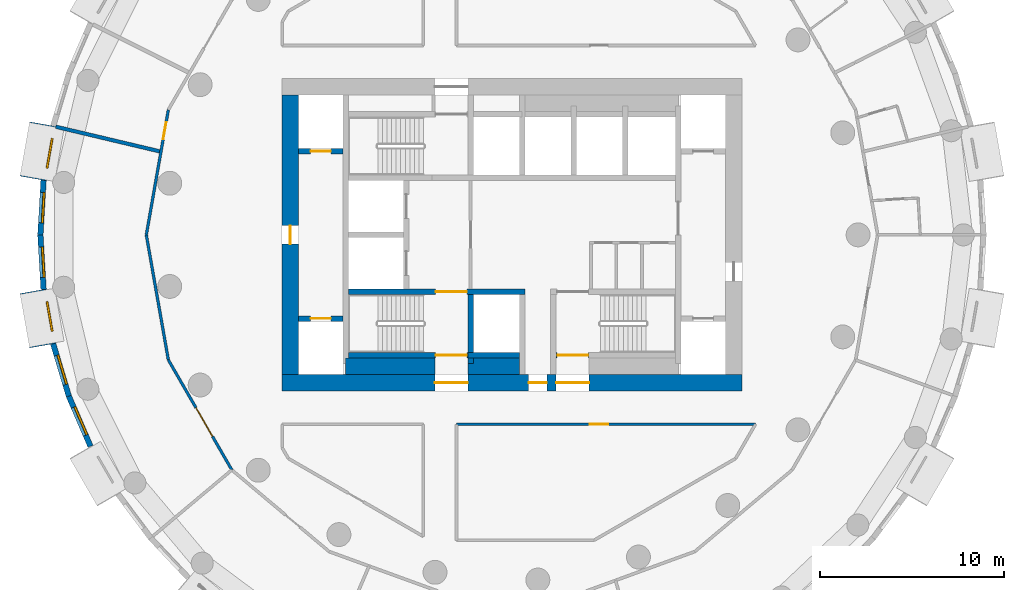
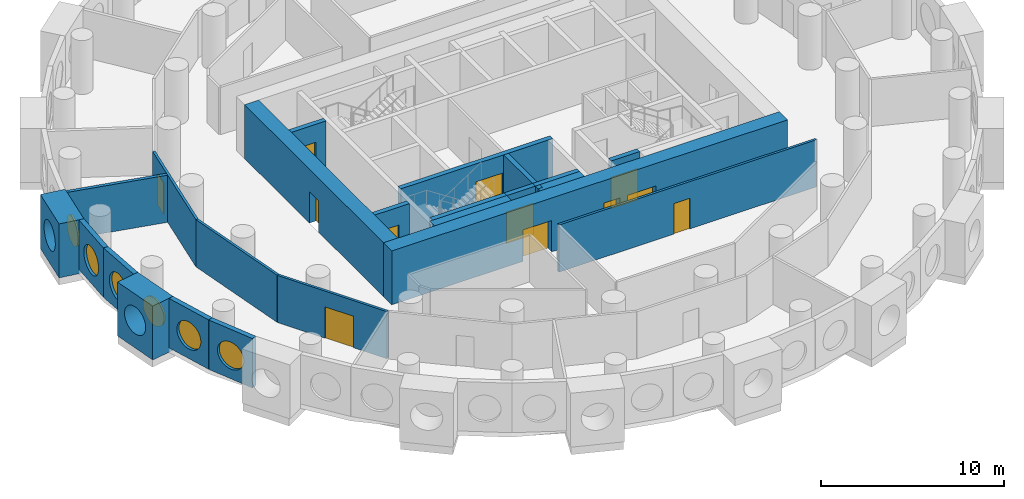
# One storey, part 3 of 10: 23 walls, 12 doors, 6 windows, 18 openings.
"""IFC4 building model written with IfcOpenShell, lengths in metres."""

import ifcopenshell
import ifcopenshell.guid

model = None  # the IFC model being written
_history = None  # IfcOwnerHistory: only IFC2X3 demands one
_inside = {}  # id of a spatial element -> (the spatial element, [elements in it])
_under = {}  # id of a project, library or spatial element -> (it, [spatial elements below it])
_declared = {}  # id of a project -> (the project, [libraries it declares])
_typed = {}  # id of a type object -> (the type object, [elements of that type])
_made_of = {}  # id of a material, layer set ... -> (it, [elements and type objects made of it])


def new_model(schema):
    """Start an empty IFC model of exactly this schema.

    Asked for "IFC4X3", IfcOpenShell would pick the latest addendum, in which some entities
    have other attributes; the version numbers below select the first issue.
    IFC2X3 requires an IfcOwnerHistory on every rooted entity: one is made here for all.
    """
    global model, _history
    if schema == "IFC4X3":
        model = ifcopenshell.file(schema_version=(4, 3, 0, 0))
    else:
        model = ifcopenshell.file(schema=schema)
    _inside.clear()
    _under.clear()
    _declared.clear()
    _typed.clear()
    _made_of.clear()
    _history = None
    if model.schema == "IFC2X3":
        org = make("IfcOrganization", Name="unknown")
        user = make(
            "IfcPersonAndOrganization",
            ThePerson=make("IfcPerson", FamilyName="unknown"),
            TheOrganization=org,
        )
        app = make(
            "IfcApplication",
            ApplicationDeveloper=org,
            Version="unknown",
            ApplicationFullName="unknown",
            ApplicationIdentifier="unknown",
        )
        _history = make(
            "IfcOwnerHistory",
            OwningUser=user,
            OwningApplication=app,
            ChangeAction="ADDED",
            CreationDate=0,
        )
    return model


def make(cls, **values):
    """One entity of the class cls with the attributes given. An attribute that is None is left unset."""
    return model.create_entity(
        cls, **{name: value for name, value in values.items() if value is not None}
    )


def rooted(cls, **values):
    """An entity with a GlobalId (a new one), such as an element, a storey or a relation."""
    return make(cls, GlobalId=ifcopenshell.guid.new(), OwnerHistory=_history, **values)


def si_unit(unit_type, name, prefix=None):
    """IfcSIUnit, for example si_unit("LENGTHUNIT", "METRE", prefix="MILLI")."""
    return make("IfcSIUnit", UnitType=unit_type, Prefix=prefix, Name=name)


def assignment(units):
    """IfcUnitAssignment: the units of a project."""
    return None if units is None else make("IfcUnitAssignment", Units=units)


def point(xyz):
    """IfcCartesianPoint."""
    return None if xyz is None else make("IfcCartesianPoint", Coordinates=xyz)


def direction(xyz):
    """IfcDirection."""
    return None if xyz is None else make("IfcDirection", DirectionRatios=xyz)


def frame(location, z_axis=None, x_axis=None):
    """IfcAxis2Placement3D, a coordinate frame: its origin and axes. An axis left out is left unset."""
    return make(
        "IfcAxis2Placement3D",
        Location=point(location),
        Axis=direction(z_axis),
        RefDirection=direction(x_axis),
    )


def frame_2d(location, x_axis=None):
    """IfcAxis2Placement2D, a coordinate frame in the plane: its origin and x axis."""
    return make(
        "IfcAxis2Placement2D", Location=point(location), RefDirection=direction(x_axis)
    )


def origin():
    """The frame at (0, 0, 0) with its axes left unset."""
    return frame((0.0, 0.0, 0.0))


def origin_2d():
    """The frame at (0, 0) in the plane with its x axis left unset."""
    return frame_2d((0.0, 0.0))


def place(relative_to, where):
    """IfcLocalPlacement: puts the frame where relative to a parent placement (None: the world)."""
    return make(
        "IfcLocalPlacement", PlacementRelTo=relative_to, RelativePlacement=where
    )


def context(
    kind, dimensions, precision=None, world=None, true_north=None, identifier=None
):
    """IfcGeometricRepresentationContext, for example the 3D "Model" context."""
    return make(
        "IfcGeometricRepresentationContext",
        ContextIdentifier=identifier,
        ContextType=kind,
        CoordinateSpaceDimension=dimensions,
        Precision=precision,
        WorldCoordinateSystem=world,
        TrueNorth=true_north,
    )


def subcontext(parent, identifier, kind, view, scale=None):
    """IfcGeometricRepresentationSubContext, for example "Body" below "Model"."""
    return make(
        "IfcGeometricRepresentationSubContext",
        ContextIdentifier=identifier,
        ContextType=kind,
        ParentContext=parent,
        TargetScale=scale,
        TargetView=view,
    )


def project(units=None, contexts=None):
    """IfcProject with its units and contexts."""
    return rooted(
        "IfcProject",
        Name="project",
        RepresentationContexts=contexts,
        UnitsInContext=assignment(units),
    )


def spatial(cls, under=None, at=None, **own):
    """A site, building, storey or space (cls), placed at a placement, below another one or the project."""
    s = rooted(cls, ObjectPlacement=at, **own)
    if under is not None:
        _under.setdefault(under.id(), (under, []))[1].append(s)
    return s


def profile(cls, at=None, kind="AREA", **sizes):
    """A parametric profile (cls). Its sizes go by their IFC names, for example OverallWidth=200.0."""
    return make(cls, ProfileType=kind, Position=at, **sizes)


def rectangle(**sizes):
    """IfcRectangleProfileDef."""
    return profile("IfcRectangleProfileDef", **sizes)


def circle(**sizes):
    """IfcCircleProfileDef."""
    return profile("IfcCircleProfileDef", **sizes)


def extrude(swept, where, along, depth):
    """IfcExtrudedAreaSolid: the profile swept, set in the frame where, extruded along a direction by depth."""
    return make(
        "IfcExtrudedAreaSolid",
        SweptArea=swept,
        Position=where,
        ExtrudedDirection=direction(along),
        Depth=depth,
    )


def shape(context_of_items, identifier, shape_type, items):
    """IfcShapeRepresentation: the items that make up one representation, for example the "Body"."""
    return make(
        "IfcShapeRepresentation",
        ContextOfItems=context_of_items,
        RepresentationIdentifier=identifier,
        RepresentationType=shape_type,
        Items=items,
    )


def material(Name=None, Category=None):
    """IfcMaterial."""
    return make("IfcMaterial", Name=Name, Category=Category)


def layer(
    of_material, thickness, ventilated=None, Name=None, Category=None, Priority=None
):
    """IfcMaterialLayer: one layer of a wall or slab, of a material (None: an air gap)."""
    return make(
        "IfcMaterialLayer",
        Material=of_material,
        LayerThickness=thickness,
        IsVentilated=ventilated,
        Name=Name,
        Category=Category,
        Priority=Priority,
    )


def layer_set(layers, Name=None):
    """IfcMaterialLayerSet."""
    return make("IfcMaterialLayerSet", MaterialLayers=layers, LayerSetName=Name)


def made_of(thing, what):
    """Note that an element or type object is made of a material, layer set ...; save() writes the relation."""
    if what is not None:
        _made_of.setdefault(what.id(), (what, []))[1].append(thing)
    return thing


def type_object(cls, material=None, **own):
    """A type object (cls), such as IfcWallType, which elements share."""
    return made_of(rooted(cls, **own), material)


def element(
    cls,
    number,
    at=None,
    inside=None,
    cuts=None,
    type_object=None,
    material=None,
    context=None,
    identifier="Body",
    shape_type=None,
    held_by="IfcProductDefinitionShape",
    body=None,
    shapes=None,
    **own,
):
    """One element of the class cls, such as IfcWall. Its Tag is "e" and its number.

    at: its placement. inside: the storey or other place that contains it. cuts: it is an
    opening in that element (IfcRelVoidsElement). A single representation is given by context,
    identifier, shape_type and body (its items); several are given by shapes. held_by: the class
    of the entity that holds the representations. save() writes the other relations.
    """
    e = rooted(cls, Tag="e%d" % number, ObjectPlacement=at, **own)
    if body is not None:
        shapes = [shape(context, identifier, shape_type, body)]
    if shapes is not None:
        e.Representation = make(held_by, Representations=shapes)
    if inside is not None:
        _inside.setdefault(inside.id(), (inside, []))[1].append(e)
    if cuts is not None:
        rooted(
            "IfcRelVoidsElement", RelatingBuildingElement=cuts, RelatedOpeningElement=e
        )
    if type_object is not None:
        _typed.setdefault(type_object.id(), (type_object, []))[1].append(e)
    return made_of(e, material)


def fill(opening, filler):
    """IfcRelFillsElement: the door or window that sits in an opening."""
    return rooted(
        "IfcRelFillsElement",
        RelatingOpeningElement=opening,
        RelatedBuildingElement=filler,
    )


def aggregate(whole, parts):
    """IfcRelAggregates: a whole, such as a stair, and the parts it consists of."""
    return rooted("IfcRelAggregates", RelatingObject=whole, RelatedObjects=parts)


def save(model, path):
    """Write the relations noted so far, then the file.

    IfcRelAggregates (storeys below a building ...), IfcRelContainedInSpatialStructure (elements
    in a storey), IfcRelDefinesByType, IfcRelAssociatesMaterial and IfcRelDeclares: one each for
    every whole, place, type object, material and project.
    """
    for whole, parts in _under.values():
        aggregate(whole, parts)
    for where, things in _inside.values():
        rooted(
            "IfcRelContainedInSpatialStructure",
            RelatedElements=things,
            RelatingStructure=where,
        )
    for kind, things in _typed.values():
        rooted("IfcRelDefinesByType", RelatedObjects=things, RelatingType=kind)
    for what, things in _made_of.values():
        rooted("IfcRelAssociatesMaterial", RelatedObjects=things, RelatingMaterial=what)
    for by, libraries in _declared.values():
        rooted("IfcRelDeclares", RelatingContext=by, RelatedDefinitions=libraries)
    model.write(path)


model = new_model("IFC4")

# Units and contexts
model_context = context("Model", 3, precision=1e-05, world=origin(), true_north=direction((0.0, 1.0)))
body_context = subcontext(model_context, "Body", "Model", "MODEL_VIEW")
ifc_project = project(units=[si_unit("LENGTHUNIT", "METRE"), si_unit("AREAUNIT", "SQUARE_METRE"), si_unit("VOLUMEUNIT", "CUBIC_METRE"), si_unit("PLANEANGLEUNIT", "RADIAN"), si_unit("MASSUNIT", "GRAM", prefix="KILO")], contexts=[model_context])

# Site, building, storey
site_placement = place(None, origin())
site = spatial("IfcSite", under=ifc_project, at=site_placement, CompositionType="ELEMENT")
building_placement = place(site_placement, origin())
building = spatial("IfcBuilding", under=site, at=building_placement, Name="Tracery Tower", CompositionType="ELEMENT")
storey_placement = place(building_placement, frame((0.0, 0.0, 212.39990234375)))
storey = spatial("IfcBuildingStorey", under=building, at=storey_placement, Name="L55", CompositionType="ELEMENT", Elevation=212.39990234375)

# Walls
ifc_material_1 = material(Name="Concrete C50/60", Category="concrete")
ifc_layer_1 = layer(ifc_material_1, 0.89990234375)
ifc_layer_set_1 = layer_set([ifc_layer_1], Name="Core strip wall 900 C50")
wall_type_1 = type_object("IfcWallType", Name="Core strip wall 900 C50", PredefinedType="SOLIDWALL", material=ifc_layer_set_1)
wall_1_placement = place(storey_placement, frame((-9.050048828125, -7.14990234375, 0.0), z_axis=(0.0, 0.0, 1.0), x_axis=(1.0, 0.0, 0.0)))
element("IfcWall", 1, at=wall_1_placement, inside=storey, type_object=wall_type_1, Name="L55 F thick S W", PredefinedType="SOLIDWALL", context=body_context, shape_type="SweptSolid", body=[
    extrude(rectangle(XDim=4.85009765625, YDim=0.89990234375, at=frame_2d((2.425048828125, 0.0))), origin(), (0.0, 0.0, 1.0), 3.300048828125),
])
wall_2_placement = place(storey_placement, frame((-2.39990234375, -7.14990234375, 0.0), z_axis=(0.0, 0.0, 1.0), x_axis=(1.0, 0.0, 0.0)))
element("IfcWall", 2, at=wall_2_placement, inside=storey, type_object=wall_type_1, Name="L55 F thick S mid", PredefinedType="SOLIDWALL", context=body_context, shape_type="SweptSolid", body=[
    extrude(rectangle(XDim=2.7998046875, YDim=0.89990234375, at=frame_2d((1.39990234375, 0.0))), origin(), (0.0, 0.0, 1.0), 3.300048828125),
])

# Wall, openings, doors
ifc_material_2 = material(Name="Concrete C50/60", Category="concrete")
ifc_layer_2 = layer(ifc_material_2, 0.89990234375)
ifc_layer_set_2 = layer_set([ifc_layer_2], Name="Core wall 900 C50")
wall_type_2 = type_object("IfcWallType", Name="Core wall 900 C50", PredefinedType="SOLIDWALL", material=ifc_layer_set_2)
wall_3_placement = place(storey_placement, frame((-12.5, -8.050048828125, 0.0), z_axis=(0.0, 0.0, 1.0), x_axis=(1.0, 0.0, 0.0)))
wall_3 = element("IfcWall", 3, at=wall_3_placement, inside=storey, type_object=wall_type_2, Name="L55 outer S", PredefinedType="SOLIDWALL", context=body_context, shape_type="SweptSolid", body=[
    extrude(rectangle(XDim=25.0, YDim=0.89990234375, at=frame_2d((12.5, 0.0))), origin(), (0.0, 0.0, 1.0), 3.60009765625),
])
opening_1_placement = place(wall_3_placement, frame((13.39990234375, 0.0, 0.0)))
opening_1 = element("IfcOpeningElement", 4, at=opening_1_placement, cuts=wall_3, Name="Opening KD16", PredefinedType="OPENING", context=body_context, shape_type="SweptSolid", body=[
    extrude(rectangle(XDim=1.0, YDim=2.10009765625, at=frame_2d((0.5, 1.050048828125))), frame((0.0, 0.449951171875, 0.0), z_axis=(0.0, -1.0, 0.0), x_axis=(1.0, 0.0, 0.0)), (0.0, 0.0, 1.0), 0.89990234375),
])
opening_2_placement = place(wall_3_placement, frame((8.300048828125, 0.0, 0.0)))
opening_2 = element("IfcOpeningElement", 5, at=opening_2_placement, cuts=wall_3, Name="Opening KD13", PredefinedType="OPENING", context=body_context, shape_type="SweptSolid", body=[
    extrude(rectangle(XDim=1.800048828125, YDim=2.10009765625, at=frame_2d((0.89990234375, 1.050048828125))), frame((0.0, 0.449951171875, 0.0), z_axis=(0.0, -1.0, 0.0), x_axis=(1.0, 0.0, 0.0)), (0.0, 0.0, 1.0), 0.89990234375),
])
opening_3_placement = place(wall_3_placement, frame((14.89990234375, 0.0, 0.0)))
opening_3 = element("IfcOpeningElement", 6, at=opening_3_placement, cuts=wall_3, Name="Opening KD13", PredefinedType="OPENING", context=body_context, shape_type="SweptSolid", body=[
    extrude(rectangle(XDim=1.800048828125, YDim=2.10009765625, at=frame_2d((0.89990234375, 1.050048828125))), frame((0.0, 0.449951171875, 0.0), z_axis=(0.0, -1.0, 0.0), x_axis=(1.0, 0.0, 0.0)), (0.0, 0.0, 1.0), 0.89990234375),
])
ifc_material_3 = material(Name="Steel fire door", Category="steel")
door_type_1 = type_object("IfcDoorType", Name="Core exit door 1000", OperationType="NOTDEFINED", PredefinedType="DOOR", material=ifc_material_3)
door_1_placement = place(opening_1_placement, origin())
door_1 = element("IfcDoor", 7, at=door_1_placement, inside=storey, type_object=door_type_1, Name="Core exit door", OperationType="SINGLE_SWING_LEFT", OverallHeight=2.10009765625, OverallWidth=1.0, PredefinedType="DOOR", context=body_context, shape_type="SweptSolid", body=[
    extrude(rectangle(XDim=1.0, YDim=2.10009765625, at=frame_2d((0.5, 1.050048828125))), frame((0.0, 0.02490234375, 0.0), z_axis=(0.0, -1.0, 0.0), x_axis=(1.0, 0.0, 0.0)), (0.0, 0.0, 1.0), 0.050048828125),
])
fill(opening_1, door_1)
ifc_material_4 = material(Name="Steel fire door", Category="steel")
door_type_2 = type_object("IfcDoorType", Name="Core exit door 1800 double", OperationType="NOTDEFINED", PredefinedType="DOOR", material=ifc_material_4)
door_2_placement = place(opening_2_placement, origin())
door_2 = element("IfcDoor", 8, at=door_2_placement, inside=storey, type_object=door_type_2, Name="Core exit door", OperationType="DOUBLE_DOOR_SINGLE_SWING", OverallHeight=2.10009765625, OverallWidth=1.800048828125, PredefinedType="DOOR", context=body_context, shape_type="SweptSolid", body=[
    extrude(rectangle(XDim=1.800048828125, YDim=2.10009765625, at=frame_2d((0.89990234375, 1.050048828125))), frame((0.0, 0.02490234375, 0.0), z_axis=(0.0, -1.0, 0.0), x_axis=(1.0, 0.0, 0.0)), (0.0, 0.0, 1.0), 0.050048828125),
])
fill(opening_2, door_2)
door_3_placement = place(opening_3_placement, origin())
door_3 = element("IfcDoor", 9, at=door_3_placement, inside=storey, type_object=door_type_2, Name="Core exit door", OperationType="DOUBLE_DOOR_SINGLE_SWING", OverallHeight=2.10009765625, OverallWidth=1.800048828125, PredefinedType="DOOR", context=body_context, shape_type="SweptSolid", body=[
    extrude(rectangle(XDim=1.800048828125, YDim=2.10009765625, at=frame_2d((0.89990234375, 1.050048828125))), frame((0.0, 0.02490234375, 0.0), z_axis=(0.0, -1.0, 0.0), x_axis=(1.0, 0.0, 0.0)), (0.0, 0.0, 1.0), 0.050048828125),
])
fill(opening_3, door_3)

# Wall, opening, door
wall_4_placement = place(storey_placement, frame((-12.050048828125, -7.60009765625, 0.0), z_axis=(0.0, 0.0, 1.0), x_axis=(0.0, 1.0, 0.0)))
wall_4 = element("IfcWall", 10, at=wall_4_placement, inside=storey, type_object=wall_type_2, Name="L55 outer W", PredefinedType="SOLIDWALL", context=body_context, shape_type="SweptSolid", body=[
    extrude(rectangle(XDim=15.2001953125, YDim=0.89990234375, at=frame_2d((7.60009765625, 0.0))), origin(), (0.0, 0.0, 1.0), 3.60009765625),
])
opening_4_placement = place(wall_4_placement, frame((7.10009765625, 0.0, 0.0)))
opening_4 = element("IfcOpeningElement", 11, at=opening_4_placement, cuts=wall_4, Name="Opening KD18", PredefinedType="OPENING", context=body_context, shape_type="SweptSolid", body=[
    extrude(rectangle(XDim=1.0, YDim=2.10009765625, at=frame_2d((0.5, 1.050048828125))), frame((0.0, 0.449951171875, 0.0), z_axis=(0.0, -1.0, 0.0), x_axis=(1.0, 0.0, 0.0)), (0.0, 0.0, 1.0), 0.89990234375),
])
door_4_placement = place(opening_4_placement, origin())
door_4 = element("IfcDoor", 12, at=door_4_placement, inside=storey, type_object=door_type_1, Name="Core exit door", OperationType="DOUBLE_DOOR_SINGLE_SWING", OverallHeight=2.10009765625, OverallWidth=1.0, PredefinedType="DOOR", context=body_context, shape_type="SweptSolid", body=[
    extrude(rectangle(XDim=1.0, YDim=2.10009765625, at=frame_2d((0.5, 1.050048828125))), frame((0.0, 0.02490234375, 0.0), z_axis=(0.0, -1.0, 0.0), x_axis=(1.0, 0.0, 0.0)), (0.0, 0.0, 1.0), 0.050048828125),
])
fill(opening_4, door_4)

# Wall, opening, window
ifc_material_5 = material(Name="Precast concrete C50/60", Category="concrete")
ifc_layer_3 = layer(ifc_material_5, 1.449951171875)
ifc_layer_set_3 = layer_set([ifc_layer_3], Name="Deep-set bay unit 3000 x 3600, slab edge 300")
wall_type_3 = type_object("IfcWallType", Name="Deep-set bay unit 3000 x 3600, slab edge 300", PredefinedType="ELEMENTEDWALL", material=ifc_layer_set_3)
wall_5_placement = place(storey_placement, frame((-25.520751953125, 6.023193359375, -0.2998046875), z_axis=(0.0, 0.0, 1.0), x_axis=(-0.173669267716, -0.984804034035, 0.0)))
wall_5 = element("IfcWall", 13, at=wall_5_placement, inside=storey, type_object=wall_type_3, Name="Deep-set bay unit 26 at L55", PredefinedType="ELEMENTEDWALL", context=body_context, shape_type="SweptSolid", body=[
    extrude(rectangle(XDim=3.0, YDim=1.449951171875, at=frame_2d((1.5, 0.0))), origin(), (0.0, 0.0, 1.0), 3.599853515625),
])
opening_5_placement = place(wall_5_placement, frame((1.5, 0.0, 1.85009765625)))
opening_5 = element("IfcOpeningElement", 14, at=opening_5_placement, cuts=wall_5, Name="Opening WN1", PredefinedType="OPENING", context=body_context, shape_type="SweptSolid", body=[
    extrude(circle(Radius=0.9000244140625, at=origin_2d()), frame((0.0, 0.73486328125, 0.0), z_axis=(0.0, -1.0, 0.0), x_axis=(1.0, 0.0, 0.0)), (0.0, 0.0, 1.0), 1.469970703125),
])
ifc_material_6 = material(Name="Aluminium frame with tinted double glazing", Category="aluminium")
window_type = type_object("IfcWindowType", Name="Round window 1800", PartitioningType="SINGLE_PANEL", PredefinedType="WINDOW", material=ifc_material_6)
window_1_placement = place(opening_5_placement, origin())
window_1 = element("IfcWindow", 15, at=window_1_placement, inside=storey, type_object=window_type, Name="Round window 26 at L55", OverallHeight=1.800048828125, OverallWidth=1.800048828125, PartitioningType="SINGLE_PANEL", PredefinedType="WINDOW", context=body_context, shape_type="SweptSolid", body=[
    extrude(circle(Radius=0.9000244140625, at=origin_2d()), frame((0.0, 0.69482421875, 0.0), z_axis=(0.0, -1.0, 0.0), x_axis=(1.0, 0.0, 0.0)), (0.0, 0.0, 1.0), 0.10009765625),
])
fill(opening_5, window_1)

wall_6_placement = place(storey_placement, frame((-26.041748046875, -3.06884765625, -0.2998046875), z_axis=(0.0, 0.0, 1.0), x_axis=(0.173669267716, -0.984804034035, 0.0)))
wall_6 = element("IfcWall", 16, at=wall_6_placement, inside=storey, type_object=wall_type_3, Name="Deep-set bay unit 29 at L55", PredefinedType="ELEMENTEDWALL", context=body_context, shape_type="SweptSolid", body=[
    extrude(rectangle(XDim=3.0, YDim=1.449951171875, at=frame_2d((1.5, 0.0))), origin(), (0.0, 0.0, 1.0), 3.599853515625),
])
opening_6_placement = place(wall_6_placement, frame((1.5, 0.0, 1.85009765625)))
opening_6 = element("IfcOpeningElement", 17, at=opening_6_placement, cuts=wall_6, Name="Opening WN1", PredefinedType="OPENING", context=body_context, shape_type="SweptSolid", body=[
    extrude(circle(Radius=0.9000244140625, at=origin_2d()), frame((0.0, 0.73486328125, 0.0), z_axis=(0.0, -1.0, 0.0), x_axis=(1.0, 0.0, 0.0)), (0.0, 0.0, 1.0), 1.469970703125),
])
window_2_placement = place(opening_6_placement, origin())
window_2 = element("IfcWindow", 18, at=window_2_placement, inside=storey, type_object=window_type, Name="Round window 29 at L55", OverallHeight=1.800048828125, OverallWidth=1.800048828125, PartitioningType="SINGLE_PANEL", PredefinedType="WINDOW", context=body_context, shape_type="SweptSolid", body=[
    extrude(circle(Radius=0.9000244140625, at=origin_2d()), frame((0.0, 0.69482421875, 0.0), z_axis=(0.0, -1.0, 0.0), x_axis=(1.0, 0.0, 0.0)), (0.0, 0.0, 1.0), 0.10009765625),
])
fill(opening_6, window_2)

ifc_material_7 = material(Name="Precast concrete C50/60", Category="concrete")
ifc_layer_4 = layer(ifc_material_7, 0.300048828125)
ifc_layer_set_4 = layer_set([ifc_layer_4], Name="Facade panel 3000 x 3300")
wall_type_4 = type_object("IfcWallType", Name="Facade panel 3000 x 3300", PredefinedType="SOLIDWALL", material=ifc_layer_set_4)
wall_7_placement = place(storey_placement, frame((-25.474609375, 2.9677734375, 0.0), z_axis=(0.0, 0.0, 1.0), x_axis=(-0.058144307138, -0.998308188661, 0.0)))
wall_7 = element("IfcWall", 19, at=wall_7_placement, inside=storey, type_object=wall_type_4, Name="Facade panel 27 at L55", PredefinedType="SOLIDWALL", context=body_context, shape_type="SweptSolid", body=[
    extrude(rectangle(XDim=2.972900390625, YDim=0.300048828125, at=frame_2d((1.486328125, 0.0))), origin(), (0.0, 0.0, 1.0), 3.300048828125),
])
opening_7_placement = place(wall_7_placement, frame((1.486328125, 0.0, 1.5498046875)))
opening_7 = element("IfcOpeningElement", 20, at=opening_7_placement, cuts=wall_7, Name="Opening WN1", PredefinedType="OPENING", context=body_context, shape_type="SweptSolid", body=[
    extrude(circle(Radius=0.9000244140625, at=origin_2d()), frame((0.0, 0.159912109375, 0.0), z_axis=(0.0, -1.0, 0.0), x_axis=(1.0, 0.0, 0.0)), (0.0, 0.0, 1.0), 0.320068359375),
])
window_3_placement = place(opening_7_placement, origin())
window_3 = element("IfcWindow", 21, at=window_3_placement, inside=storey, type_object=window_type, Name="Round window 27 at L55", OverallHeight=1.800048828125, OverallWidth=1.800048828125, PartitioningType="SINGLE_PANEL", PredefinedType="WINDOW", context=body_context, shape_type="SweptSolid", body=[
    extrude(circle(Radius=0.9000244140625, at=origin_2d()), frame((0.0, 0.1201171875, 0.0), z_axis=(0.0, -1.0, 0.0), x_axis=(1.0, 0.0, 0.0)), (0.0, 0.0, 1.0), 0.10009765625),
])
fill(opening_7, window_3)

wall_8_placement = place(storey_placement, frame((-25.6474609375, 0.0, 0.0), z_axis=(0.0, 0.0, 1.0), x_axis=(0.058144307138, -0.998308188661, 0.0)))
wall_8 = element("IfcWall", 22, at=wall_8_placement, inside=storey, type_object=wall_type_4, Name="Facade panel 28 at L55", PredefinedType="SOLIDWALL", context=body_context, shape_type="SweptSolid", body=[
    extrude(rectangle(XDim=2.972900390625, YDim=0.300048828125, at=frame_2d((1.486328125, 0.0))), origin(), (0.0, 0.0, 1.0), 3.300048828125),
])
opening_8_placement = place(wall_8_placement, frame((1.486328125, 0.0, 1.5498046875)))
opening_8 = element("IfcOpeningElement", 23, at=opening_8_placement, cuts=wall_8, Name="Opening WN1", PredefinedType="OPENING", context=body_context, shape_type="SweptSolid", body=[
    extrude(circle(Radius=0.9000244140625, at=origin_2d()), frame((0.0, 0.159912109375, 0.0), z_axis=(0.0, -1.0, 0.0), x_axis=(1.0, 0.0, 0.0)), (0.0, 0.0, 1.0), 0.320068359375),
])
window_4_placement = place(opening_8_placement, origin())
window_4 = element("IfcWindow", 24, at=window_4_placement, inside=storey, type_object=window_type, Name="Round window 28 at L55", OverallHeight=1.800048828125, OverallWidth=1.800048828125, PartitioningType="SINGLE_PANEL", PredefinedType="WINDOW", context=body_context, shape_type="SweptSolid", body=[
    extrude(circle(Radius=0.9000244140625, at=origin_2d()), frame((0.0, 0.1201171875, 0.0), z_axis=(0.0, -1.0, 0.0), x_axis=(1.0, 0.0, 0.0)), (0.0, 0.0, 1.0), 0.10009765625),
])
fill(opening_8, window_4)

wall_9_placement = place(storey_placement, frame((-24.953369140625, -5.924072265625, 0.0), z_axis=(0.0, 0.0, 1.0), x_axis=(0.286782750849, -0.957995643944, 0.0)))
wall_9 = element("IfcWall", 25, at=wall_9_placement, inside=storey, type_object=wall_type_4, Name="Facade panel 30 at L55", PredefinedType="SOLIDWALL", context=body_context, shape_type="SweptSolid", body=[
    extrude(rectangle(XDim=2.97265625, YDim=0.300048828125, at=frame_2d((1.486328125, 0.0))), origin(), (0.0, 0.0, 1.0), 3.300048828125),
])
opening_9_placement = place(wall_9_placement, frame((1.486328125, 0.0, 1.5498046875)))
opening_9 = element("IfcOpeningElement", 26, at=opening_9_placement, cuts=wall_9, Name="Opening WN1", PredefinedType="OPENING", context=body_context, shape_type="SweptSolid", body=[
    extrude(circle(Radius=0.9000244140625, at=origin_2d()), frame((0.0, 0.159912109375, 0.0), z_axis=(0.0, -1.0, 0.0), x_axis=(1.0, 0.0, 0.0)), (0.0, 0.0, 1.0), 0.320068359375),
])
window_5_placement = place(opening_9_placement, origin())
window_5 = element("IfcWindow", 27, at=window_5_placement, inside=storey, type_object=window_type, Name="Round window 30 at L55", OverallHeight=1.800048828125, OverallWidth=1.800048828125, PartitioningType="SINGLE_PANEL", PredefinedType="WINDOW", context=body_context, shape_type="SweptSolid", body=[
    extrude(circle(Radius=0.9000244140625, at=origin_2d()), frame((0.0, 0.1201171875, 0.0), z_axis=(0.0, -1.0, 0.0), x_axis=(1.0, 0.0, 0.0)), (0.0, 0.0, 1.0), 0.10009765625),
])
fill(opening_9, window_5)

wall_10_placement = place(storey_placement, frame((-24.100830078125, -8.77197265625, 0.0), z_axis=(0.0, 0.0, 1.0), x_axis=(0.396148129016, -0.918186614952, 0.0)))
wall_10 = element("IfcWall", 28, at=wall_10_placement, inside=storey, type_object=wall_type_4, Name="Facade panel 31 at L55", PredefinedType="SOLIDWALL", context=body_context, shape_type="SweptSolid", body=[
    extrude(rectangle(XDim=2.972900390625, YDim=0.300048828125, at=frame_2d((1.486328125, 0.0))), origin(), (0.0, 0.0, 1.0), 3.300048828125),
])
opening_10_placement = place(wall_10_placement, frame((1.486328125, 0.0, 1.5498046875)))
opening_10 = element("IfcOpeningElement", 29, at=opening_10_placement, cuts=wall_10, Name="Opening WN1", PredefinedType="OPENING", context=body_context, shape_type="SweptSolid", body=[
    extrude(circle(Radius=0.9000244140625, at=origin_2d()), frame((0.0, 0.159912109375, 0.0), z_axis=(0.0, -1.0, 0.0), x_axis=(1.0, 0.0, 0.0)), (0.0, 0.0, 1.0), 0.320068359375),
])
window_6_placement = place(opening_10_placement, origin())
window_6 = element("IfcWindow", 30, at=window_6_placement, inside=storey, type_object=window_type, Name="Round window 31 at L55", OverallHeight=1.800048828125, OverallWidth=1.800048828125, PartitioningType="SINGLE_PANEL", PredefinedType="WINDOW", context=body_context, shape_type="SweptSolid", body=[
    extrude(circle(Radius=0.9000244140625, at=origin_2d()), frame((0.0, 0.1201171875, 0.0), z_axis=(0.0, -1.0, 0.0), x_axis=(1.0, 0.0, 0.0)), (0.0, 0.0, 1.0), 0.10009765625),
])
fill(opening_10, window_6)

# Wall, opening, door
ifc_material_8 = material(Name="Plasterboard on steel studs", Category="steel")
ifc_layer_5 = layer(ifc_material_8, 0.14990234375)
ifc_layer_set_5 = layer_set([ifc_layer_5], Name="Partition 150 corridor wall")
wall_type_5 = type_object("IfcWallType", Name="Partition 150 corridor wall", PredefinedType="PARTITIONING", material=ifc_layer_set_5)
wall_11_placement = place(storey_placement, frame((-3.02490234375, -10.300048828125, 0.0), z_axis=(0.0, 0.0, 1.0), x_axis=(1.0, 0.0, 0.0)))
wall_11 = element("IfcWall", 31, at=wall_11_placement, inside=storey, type_object=wall_type_5, Name="Corridor wall RB9-004", PredefinedType="PARTITIONING", context=body_context, shape_type="SweptSolid", body=[
    extrude(rectangle(XDim=16.261962890625, YDim=0.14990234375, at=frame_2d((8.130859375, 0.0))), origin(), (0.0, 0.0, 1.0), 3.150146484375),
])
opening_11_placement = place(wall_11_placement, frame((7.261962890625, 0.0, 0.0)))
opening_11 = element("IfcOpeningElement", 32, at=opening_11_placement, cuts=wall_11, Name="Opening RB9-04", PredefinedType="OPENING", context=body_context, shape_type="SweptSolid", body=[
    extrude(rectangle(XDim=1.0, YDim=2.0400390625, at=frame_2d((0.5, 1.02001953125))), frame((0.0, 0.074951171875, 0.0), z_axis=(0.0, -1.0, 0.0), x_axis=(1.0, 0.0, 0.0)), (0.0, 0.0, 1.0), 0.14990234375),
])
ifc_material_9 = material(Name="Timber door leaf", Category="wood")
door_type_3 = type_object("IfcDoorType", Name="Door communal room 1000", OperationType="NOTDEFINED", PredefinedType="DOOR", material=ifc_material_9)
door_5_placement = place(opening_11_placement, origin())
door_5 = element("IfcDoor", 33, at=door_5_placement, inside=storey, type_object=door_type_3, Name="Communal room door RB9-04", OperationType="SINGLE_SWING_RIGHT", OverallHeight=2.0400390625, OverallWidth=1.0, PredefinedType="DOOR", context=body_context, shape_type="SweptSolid", body=[
    extrude(rectangle(XDim=1.0, YDim=2.0400390625, at=frame_2d((0.5, 1.02001953125))), frame((0.0, 0.02490234375, 0.0), z_axis=(0.0, -1.0, 0.0), x_axis=(1.0, 0.0, 0.0)), (0.0, 0.0, 1.0), 0.050048828125),
])
fill(opening_11, door_5)

wall_12_placement = place(storey_placement, frame((-19.88623046875, -0.000244140625, 0.0), z_axis=(0.0, 0.0, 1.0), x_axis=(0.173482860149, 0.984836888644, 0.0)))
wall_12 = element("IfcWall", 34, at=wall_12_placement, inside=storey, type_object=wall_type_5, Name="Corridor wall RB9-027", PredefinedType="PARTITIONING", context=body_context, shape_type="SweptSolid", body=[
    extrude(rectangle(XDim=6.906982421875, YDim=0.14990234375, at=frame_2d((3.45361328125, 0.0))), origin(), (0.0, 0.0, 1.0), 3.150146484375),
])
opening_12_placement = place(wall_12_placement, frame((5.27392578125, 0.0, 0.0)))
opening_12 = element("IfcOpeningElement", 35, at=opening_12_placement, cuts=wall_12, Name="Opening RB9-20", PredefinedType="OPENING", context=body_context, shape_type="SweptSolid", body=[
    extrude(rectangle(XDim=0.949951171875, YDim=2.10009765625, at=frame_2d((0.47509765625, 1.050048828125))), frame((0.0, 0.074951171875, 0.0), z_axis=(0.0, -1.0, 0.0), x_axis=(1.0, 0.0, 0.0)), (0.0, 0.0, 1.0), 0.14990234375),
])
ifc_material_10 = material(Name="Timber door leaf", Category="wood")
door_type_4 = type_object("IfcDoorType", Name="Door store 950", OperationType="NOTDEFINED", PredefinedType="DOOR", material=ifc_material_10)
door_6_placement = place(opening_12_placement, origin())
door_6 = element("IfcDoor", 36, at=door_6_placement, inside=storey, type_object=door_type_4, Name="Store door RB9-20", OperationType="SINGLE_SWING_RIGHT", OverallHeight=2.10009765625, OverallWidth=0.949951171875, PredefinedType="DOOR", context=body_context, shape_type="SweptSolid", body=[
    extrude(rectangle(XDim=0.949951171875, YDim=2.10009765625, at=frame_2d((0.47509765625, 1.050048828125))), frame((0.0, 0.02490234375, 0.0), z_axis=(0.0, -1.0, 0.0), x_axis=(1.0, 0.0, 0.0)), (0.0, 0.0, 1.0), 0.050048828125),
])
fill(opening_12, door_6)

wall_13_placement = place(storey_placement, frame((-18.68798828125, -6.802001953125, 0.0), z_axis=(0.0, 0.0, 1.0), x_axis=(0.499914202267, -0.866074933462, 0.0)))
wall_13 = element("IfcWall", 37, at=wall_13_placement, inside=storey, type_object=wall_type_5, Name="Corridor wall RB9-028", PredefinedType="PARTITIONING", context=body_context, shape_type="SweptSolid", body=[
    extrude(rectangle(XDim=6.906982421875, YDim=0.14990234375, at=frame_2d((3.45361328125, 0.0))), origin(), (0.0, 0.0, 1.0), 3.150146484375),
])
opening_13_placement = place(wall_13_placement, frame((3.003173828125, 0.0, 0.0)))
opening_13 = element("IfcOpeningElement", 38, at=opening_13_placement, cuts=wall_13, Name="Opening RB9-21", PredefinedType="OPENING", context=body_context, shape_type="SweptSolid", body=[
    extrude(rectangle(XDim=1.800048828125, YDim=2.10009765625, at=frame_2d((0.89990234375, 1.050048828125))), frame((0.0, 0.074951171875, 0.0), z_axis=(0.0, -1.0, 0.0), x_axis=(1.0, 0.0, 0.0)), (0.0, 0.0, 1.0), 0.14990234375),
])
ifc_material_11 = material(Name="Timber door leaf", Category="wood")
door_type_5 = type_object("IfcDoorType", Name="Door double lounge 1800", OperationType="NOTDEFINED", PredefinedType="DOOR", material=ifc_material_11)
door_7_placement = place(opening_13_placement, origin())
door_7 = element("IfcDoor", 39, at=door_7_placement, inside=storey, type_object=door_type_5, Name="Double lounge door RB9-21", OperationType="DOUBLE_DOOR_SINGLE_SWING", OverallHeight=2.10009765625, OverallWidth=1.800048828125, PredefinedType="DOOR", context=body_context, shape_type="SweptSolid", body=[
    extrude(rectangle(XDim=1.800048828125, YDim=2.10009765625, at=frame_2d((0.89990234375, 1.050048828125))), frame((0.0, 0.02490234375, 0.0), z_axis=(0.0, -1.0, 0.0), x_axis=(1.0, 0.0, 0.0)), (0.0, 0.0, 1.0), 0.050048828125),
])
fill(opening_13, door_7)

# Walls
wall_14_placement = place(storey_placement, frame((-19.887939453125, 0.0, 0.0), z_axis=(0.0, 0.0, 1.0), x_axis=(0.173728873845, -0.98479352069, 0.0)))
element("IfcWall", 40, at=wall_14_placement, inside=storey, type_object=wall_type_5, Name="Corridor wall RB9-029", PredefinedType="PARTITIONING", context=body_context, shape_type="SweptSolid", body=[
    extrude(rectangle(XDim=6.906982421875, YDim=0.14990234375, at=frame_2d((3.45361328125, 0.0))), origin(), (0.0, 0.0, 1.0), 3.150146484375),
])
ifc_material_12 = material(Name="Plasterboard on steel studs", Category="steel")
ifc_layer_6 = layer(ifc_material_12, 0.199951171875)
ifc_layer_set_6 = layer_set([ifc_layer_6], Name="Partition 200 compartment wall")
wall_type_6 = type_object("IfcWallType", Name="Partition 200 compartment wall", PredefinedType="PARTITIONING", material=ifc_layer_set_6)
wall_15_placement = place(storey_placement, frame((-24.81005859375, 5.8798828125, 0.0), z_axis=(0.0, 0.0, 1.0), x_axis=(0.973033452951, -0.230664040193, 0.0)))
element("IfcWall", 41, at=wall_15_placement, inside=storey, type_object=wall_type_6, Name="Compartment wall RB9-065", PredefinedType="PARTITIONING", context=body_context, shape_type="SweptSolid", body=[
    extrude(rectangle(XDim=5.87841796875, YDim=0.199951171875, at=frame_2d((2.939208984375, 0.0))), origin(), (0.0, 0.0, 1.0), 3.150146484375),
])

# Wall, opening, door
ifc_material_13 = material(Name="Concrete C50/60", Category="concrete")
ifc_layer_7 = layer(ifc_material_13, 0.300048828125)
ifc_layer_set_7 = layer_set([ifc_layer_7], Name="Shaft wall 300 C50")
wall_type_7 = type_object("IfcWallType", Name="Shaft wall 300 C50", PredefinedType="SOLIDWALL", material=ifc_layer_set_7)
wall_16_placement = place(storey_placement, frame((-11.60009765625, -4.550048828125, 0.0), z_axis=(0.0, 0.0, 1.0), x_axis=(1.0, 0.0, 0.0)))
wall_16 = element("IfcWall", 42, at=wall_16_placement, inside=storey, type_object=wall_type_7, Name="L55 MR W -4.55", PredefinedType="SOLIDWALL", context=body_context, shape_type="SweptSolid", body=[
    extrude(rectangle(XDim=2.400146484375, YDim=0.300048828125, at=frame_2d((1.2001953125, 0.0))), origin(), (0.0, 0.0, 1.0), 3.300048828125),
])
opening_14_placement = place(wall_16_placement, frame((0.64990234375, 0.0, 0.0)))
opening_14 = element("IfcOpeningElement", 43, at=opening_14_placement, cuts=wall_16, Name="Opening KD50", PredefinedType="OPENING", context=body_context, shape_type="SweptSolid", body=[
    extrude(rectangle(XDim=1.10009765625, YDim=2.10009765625, at=frame_2d((0.550048828125, 1.050048828125))), frame((0.0, 0.14990234375, 0.0), z_axis=(0.0, -1.0, 0.0), x_axis=(1.0, 0.0, 0.0)), (0.0, 0.0, 1.0), 0.300048828125),
])
ifc_material_14 = material(Name="Steel fire door", Category="steel")
door_type_6 = type_object("IfcDoorType", Name="Landing door 1100", OperationType="NOTDEFINED", PredefinedType="DOOR", material=ifc_material_14)
door_8_placement = place(opening_14_placement, origin())
door_8 = element("IfcDoor", 44, at=door_8_placement, inside=storey, type_object=door_type_6, Name="Landing door MR1", OperationType="SLIDING_TO_RIGHT", OverallHeight=2.10009765625, OverallWidth=1.10009765625, PredefinedType="DOOR", context=body_context, shape_type="SweptSolid", body=[
    extrude(rectangle(XDim=1.10009765625, YDim=2.10009765625, at=frame_2d((0.550048828125, 1.050048828125))), frame((0.0, 0.02490234375, 0.0), z_axis=(0.0, -1.0, 0.0), x_axis=(1.0, 0.0, 0.0)), (0.0, 0.0, 1.0), 0.050048828125),
])
fill(opening_14, door_8)

wall_17_placement = place(storey_placement, frame((-11.60009765625, 4.550048828125, 0.0), z_axis=(0.0, 0.0, 1.0), x_axis=(1.0, 0.0, 0.0)))
wall_17 = element("IfcWall", 45, at=wall_17_placement, inside=storey, type_object=wall_type_7, Name="L55 MR W +4.55", PredefinedType="SOLIDWALL", context=body_context, shape_type="SweptSolid", body=[
    extrude(rectangle(XDim=2.400146484375, YDim=0.300048828125, at=frame_2d((1.2001953125, 0.0))), origin(), (0.0, 0.0, 1.0), 3.300048828125),
])
opening_15_placement = place(wall_17_placement, frame((0.64990234375, 0.0, 0.0)))
opening_15 = element("IfcOpeningElement", 46, at=opening_15_placement, cuts=wall_17, Name="Opening KD49", PredefinedType="OPENING", context=body_context, shape_type="SweptSolid", body=[
    extrude(rectangle(XDim=1.10009765625, YDim=2.10009765625, at=frame_2d((0.550048828125, 1.050048828125))), frame((0.0, 0.14990234375, 0.0), z_axis=(0.0, -1.0, 0.0), x_axis=(1.0, 0.0, 0.0)), (0.0, 0.0, 1.0), 0.300048828125),
])
door_9_placement = place(opening_15_placement, origin())
door_9 = element("IfcDoor", 47, at=door_9_placement, inside=storey, type_object=door_type_6, Name="Landing door MR2", OperationType="SLIDING_TO_LEFT", OverallHeight=2.10009765625, OverallWidth=1.10009765625, PredefinedType="DOOR", context=body_context, shape_type="SweptSolid", body=[
    extrude(rectangle(XDim=1.10009765625, YDim=2.10009765625, at=frame_2d((0.550048828125, 1.050048828125))), frame((0.0, 0.02490234375, 0.0), z_axis=(0.0, -1.0, 0.0), x_axis=(1.0, 0.0, 0.0)), (0.0, 0.0, 1.0), 0.050048828125),
])
fill(opening_15, door_9)

ifc_material_15 = material(Name="Concrete C50/60", Category="concrete")
ifc_layer_8 = layer(ifc_material_15, 0.300048828125)
ifc_layer_set_8 = layer_set([ifc_layer_8], Name="Stair wall 300 C50")
wall_type_8 = type_object("IfcWallType", Name="Stair wall 300 C50", PredefinedType="SOLIDWALL", material=ifc_layer_set_8)
wall_18_placement = place(storey_placement, frame((-8.89990234375, -3.10009765625, 0.0), z_axis=(0.0, 0.0, 1.0), x_axis=(1.0, 0.0, 0.0)))
wall_18 = element("IfcWall", 48, at=wall_18_placement, inside=storey, type_object=wall_type_8, Name="L55 row S", PredefinedType="SOLIDWALL", context=body_context, shape_type="SweptSolid", body=[
    extrude(rectangle(XDim=9.599853515625, YDim=0.300048828125, at=frame_2d((4.7998046875, 0.0))), origin(), (0.0, 0.0, 1.0), 3.300048828125),
])
opening_16_placement = place(wall_18_placement, frame((4.75, 0.0, 0.0)))
opening_16 = element("IfcOpeningElement", 49, at=opening_16_placement, cuts=wall_18, Name="Opening KD3", PredefinedType="OPENING", context=body_context, shape_type="SweptSolid", body=[
    extrude(rectangle(XDim=1.699951171875, YDim=2.10009765625, at=frame_2d((0.85009765625, 1.050048828125))), frame((0.0, 0.14990234375, 0.0), z_axis=(0.0, -1.0, 0.0), x_axis=(1.0, 0.0, 0.0)), (0.0, 0.0, 1.0), 0.300048828125),
])
ifc_material_16 = material(Name="Steel fire door", Category="steel")
door_type_7 = type_object("IfcDoorType", Name="Core stair door 1700 double", OperationType="NOTDEFINED", PredefinedType="DOOR", material=ifc_material_16)
door_10_placement = place(opening_16_placement, origin())
door_10 = element("IfcDoor", 50, at=door_10_placement, inside=storey, type_object=door_type_7, Name="Stair door ST1", OperationType="DOUBLE_DOOR_SINGLE_SWING", OverallHeight=2.10009765625, OverallWidth=1.699951171875, PredefinedType="DOOR", context=body_context, shape_type="SweptSolid", body=[
    extrude(rectangle(XDim=1.699951171875, YDim=2.10009765625, at=frame_2d((0.85009765625, 1.050048828125))), frame((0.0, 0.02490234375, 0.0), z_axis=(0.0, -1.0, 0.0), x_axis=(1.0, 0.0, 0.0)), (0.0, 0.0, 1.0), 0.050048828125),
])
fill(opening_16, door_10)

# Walls
wall_19_placement = place(storey_placement, frame((-2.25, -7.0, 0.0), z_axis=(0.0, 0.0, 1.0), x_axis=(0.0, 1.0, 0.0)))
element("IfcWall", 51, at=wall_19_placement, inside=storey, type_object=wall_type_8, Name="L55 ST1 E", PredefinedType="SOLIDWALL", context=body_context, shape_type="SweptSolid", body=[
    extrude(rectangle(XDim=3.75, YDim=0.300048828125, at=frame_2d((1.875, 0.0))), origin(), (0.0, 0.0, 1.0), 3.300048828125),
])
wall_20_placement = place(storey_placement, frame((-8.89990234375, -6.550048828125, 0.0), z_axis=(0.0, 0.0, 1.0), x_axis=(1.0, 0.0, 0.0)))
element("IfcWall", 52, at=wall_20_placement, inside=storey, type_object=wall_type_8, Name="L55 F stair strip S W", PredefinedType="SOLIDWALL", context=body_context, shape_type="SweptSolid", body=[
    extrude(rectangle(XDim=4.699951171875, YDim=0.300048828125, at=frame_2d((2.35009765625, 0.0))), origin(), (0.0, 0.0, 1.0), 3.300048828125),
])
wall_21_placement = place(storey_placement, frame((-2.39990234375, -6.550048828125, 0.0), z_axis=(0.0, 0.0, 1.0), x_axis=(1.0, 0.0, 0.0)))
element("IfcWall", 53, at=wall_21_placement, inside=storey, type_object=wall_type_8, Name="L55 F stair strip S mid", PredefinedType="SOLIDWALL", context=body_context, shape_type="SweptSolid", body=[
    extrude(rectangle(XDim=2.7998046875, YDim=0.300048828125, at=frame_2d((1.39990234375, 0.0))), origin(), (0.0, 0.0, 1.0), 3.300048828125),
])

# Wall, opening, door
wall_22_placement = place(storey_placement, frame((-4.199951171875, -6.550048828125, 0.0), z_axis=(0.0, 0.0, 1.0), x_axis=(1.0, 0.0, 0.0)))
wall_22 = element("IfcWall", 54, at=wall_22_placement, inside=storey, type_object=wall_type_8, Name="L55 F stair S W", PredefinedType="SOLIDWALL", context=body_context, shape_type="SweptSolid", body=[
    extrude(rectangle(XDim=1.800048828125, YDim=0.300048828125, at=frame_2d((0.89990234375, 0.0))), origin(), (0.0, 0.0, 1.0), 3.300048828125),
])
opening_17_placement = place(wall_22_placement, frame((0.050048828125, 0.0, 0.0)))
opening_17 = element("IfcOpeningElement", 55, at=opening_17_placement, cuts=wall_22, Name="Opening KD3", PredefinedType="OPENING", context=body_context, shape_type="SweptSolid", body=[
    extrude(rectangle(XDim=1.699951171875, YDim=2.10009765625, at=frame_2d((0.85009765625, 1.050048828125))), frame((0.0, 0.14990234375, 0.0), z_axis=(0.0, -1.0, 0.0), x_axis=(1.0, 0.0, 0.0)), (0.0, 0.0, 1.0), 0.300048828125),
])
door_11_placement = place(opening_17_placement, origin())
door_11 = element("IfcDoor", 56, at=door_11_placement, inside=storey, type_object=door_type_7, Name="Stair door vest", OperationType="DOUBLE_DOOR_SINGLE_SWING", OverallHeight=2.10009765625, OverallWidth=1.699951171875, PredefinedType="DOOR", context=body_context, shape_type="SweptSolid", body=[
    extrude(rectangle(XDim=1.699951171875, YDim=2.10009765625, at=frame_2d((0.85009765625, 1.050048828125))), frame((0.0, 0.02490234375, 0.0), z_axis=(0.0, -1.0, 0.0), x_axis=(1.0, 0.0, 0.0)), (0.0, 0.0, 1.0), 0.050048828125),
])
fill(opening_17, door_11)

wall_23_placement = place(storey_placement, frame((2.39990234375, -6.550048828125, 0.0), z_axis=(0.0, 0.0, 1.0), x_axis=(1.0, 0.0, 0.0)))
wall_23 = element("IfcWall", 57, at=wall_23_placement, inside=storey, type_object=wall_type_8, Name="L55 F stair S E", PredefinedType="SOLIDWALL", context=body_context, shape_type="SweptSolid", body=[
    extrude(rectangle(XDim=1.800048828125, YDim=0.300048828125, at=frame_2d((0.89990234375, 0.0))), origin(), (0.0, 0.0, 1.0), 3.300048828125),
])
opening_18_placement = place(wall_23_placement, frame((0.050048828125, 0.0, 0.0)))
opening_18 = element("IfcOpeningElement", 58, at=opening_18_placement, cuts=wall_23, Name="Opening KD3", PredefinedType="OPENING", context=body_context, shape_type="SweptSolid", body=[
    extrude(rectangle(XDim=1.699951171875, YDim=2.10009765625, at=frame_2d((0.85009765625, 1.050048828125))), frame((0.0, 0.14990234375, 0.0), z_axis=(0.0, -1.0, 0.0), x_axis=(1.0, 0.0, 0.0)), (0.0, 0.0, 1.0), 0.300048828125),
])
door_12_placement = place(opening_18_placement, origin())
door_12 = element("IfcDoor", 59, at=door_12_placement, inside=storey, type_object=door_type_7, Name="Stair door vest", OperationType="DOUBLE_DOOR_SINGLE_SWING", OverallHeight=2.10009765625, OverallWidth=1.699951171875, PredefinedType="DOOR", context=body_context, shape_type="SweptSolid", body=[
    extrude(rectangle(XDim=1.699951171875, YDim=2.10009765625, at=frame_2d((0.85009765625, 1.050048828125))), frame((0.0, 0.02490234375, 0.0), z_axis=(0.0, -1.0, 0.0), x_axis=(1.0, 0.0, 0.0)), (0.0, 0.0, 1.0), 0.050048828125),
])
fill(opening_18, door_12)

save(model, "model.ifc")
